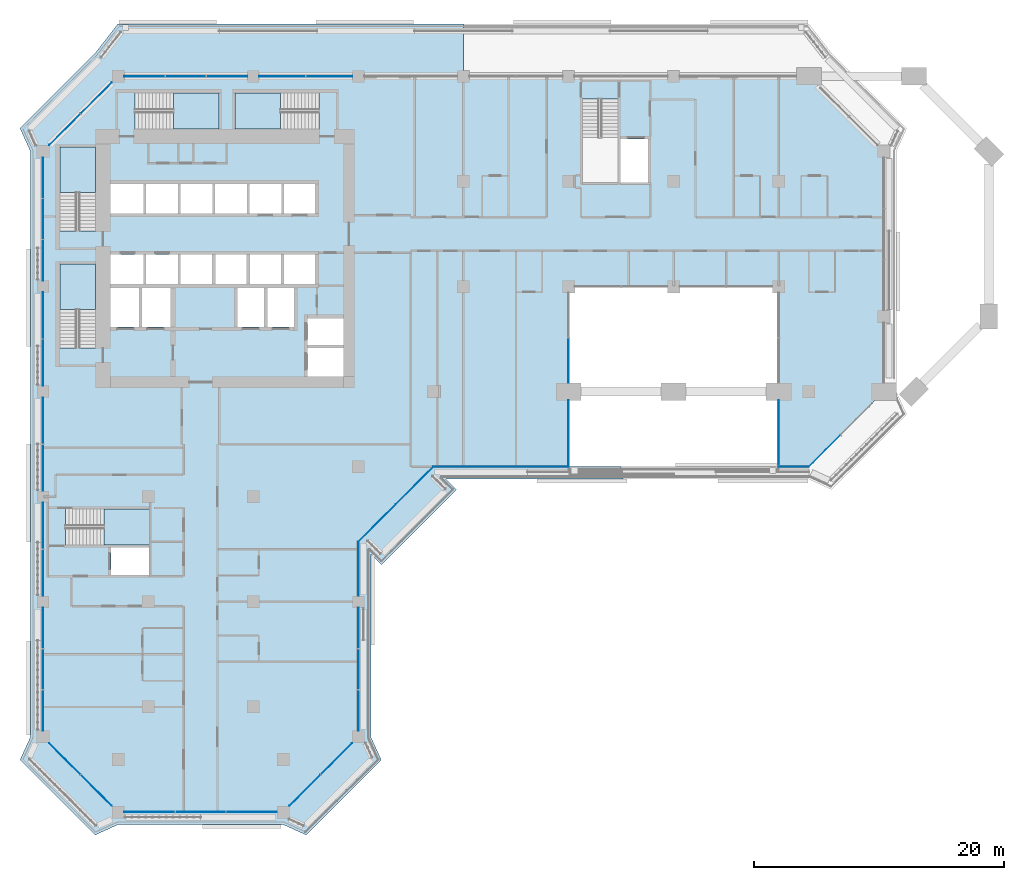
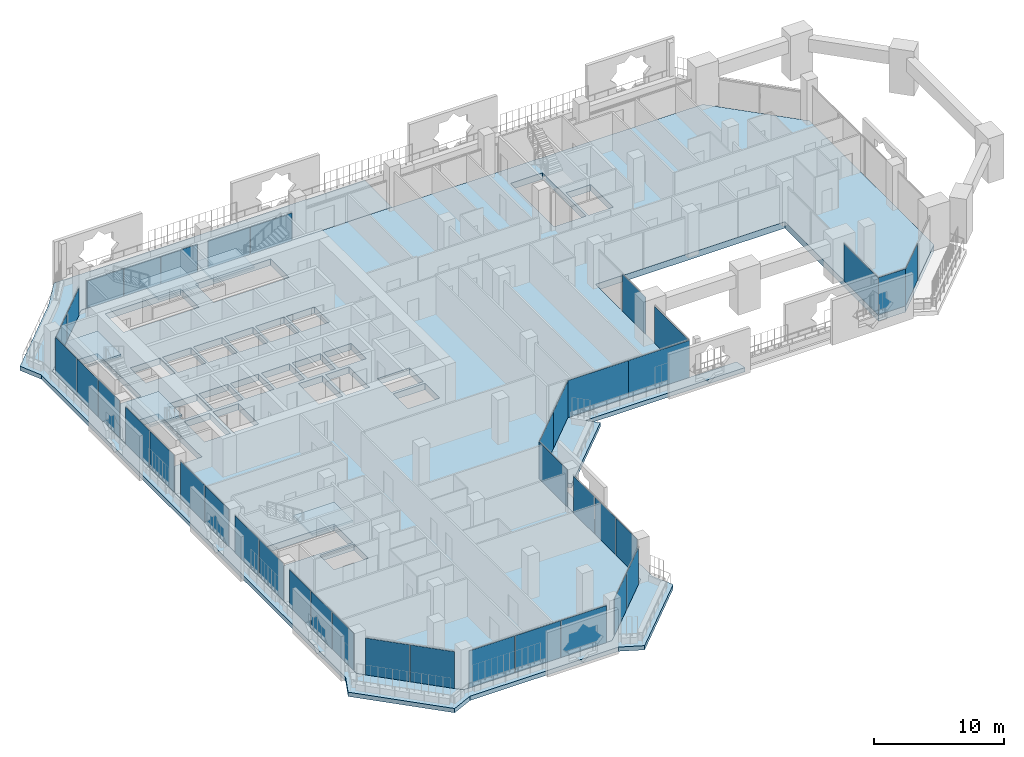
# One storey, part 9 of 24: 39 plates, 7 slabs, 18 elements without a shape of their own.
"""IFC4 building model written with IfcOpenShell, lengths in metres."""

from ifc_helpers import new_model, si_unit, direction, frame, origin, origin_2d, place, context, subcontext, project, spatial, polyline, rectangle, outline, extrude, material, layer, layer_set, type_object, element, aggregate, save


model = new_model("IFC4")

# Units and contexts
model_context = context("Model", 3, precision=1e-05, world=origin(), true_north=direction((0.0, 1.0)))
body_context = subcontext(model_context, "Body", "Model", "MODEL_VIEW")
ifc_project = project(units=[si_unit("LENGTHUNIT", "METRE"), si_unit("AREAUNIT", "SQUARE_METRE"), si_unit("VOLUMEUNIT", "CUBIC_METRE"), si_unit("PLANEANGLEUNIT", "RADIAN"), si_unit("MASSUNIT", "GRAM", prefix="KILO")], contexts=[model_context])

# Site, building, storey
site_placement = place(None, origin())
site = spatial("IfcSite", under=ifc_project, at=site_placement, CompositionType="ELEMENT")
building_placement = place(site_placement, origin())
building = spatial("IfcBuilding", under=site, at=building_placement, Name="Kawkab Arch Medical Tower", CompositionType="ELEMENT")
storey_placement = place(building_placement, frame((0.0, 0.0, 162.60009765625)))
storey = spatial("IfcBuildingStorey", under=building, at=storey_placement, Name="L37", CompositionType="ELEMENT", Elevation=162.60009765625)

# Curtain wall, plates
ifc_material_1 = material(Name="Bronze anodised aluminium curtain wall frame", Category="aluminium")
ifc_layer_1 = layer(ifc_material_1, 0.159912109375)
ifc_layer_set_1 = layer_set([ifc_layer_1], Name="Bronze anodised aluminium curtain wall frame")
curtain_wall_type_1 = type_object("IfcCurtainWallType", Name="CW1 ward curtain wall", PredefinedType="NOTDEFINED", material=ifc_layer_set_1)
placement_1 = place(storey_placement, origin())
curtain_wall_1 = element("IfcCurtainWall", 1, at=placement_1, inside=storey, type_object=curtain_wall_type_1, Name="CW1 Ward curtain wall R01", PredefinedType="NOTDEFINED")
ifc_material_2 = material(Name="Tinted insulating glass, bronze low-e coating", Category="glass")
ifc_layer_2 = layer(ifc_material_2, 0.031982421875)
ifc_layer_set_2 = layer_set([ifc_layer_2], Name="Tinted insulating glass, bronze low-e coating")
plate_type_1 = type_object("IfcPlateType", Name="CW1 glazing unit 32", PredefinedType="CURTAIN_PANEL", material=ifc_layer_set_2)
plate_1_placement = place(storey_placement, frame((33.89990234375, -31.199951171875, 0.0), z_axis=(0.0, 0.0, 1.0), x_axis=(1.0, 0.0, 0.0)))
plate_1 = element("IfcPlate", 2, at=plate_1_placement, type_object=plate_type_1, Name="CW1 glazing unit 1.1", PredefinedType="CURTAIN_PANEL", context=body_context, shape_type="SweptSolid", body=[
    extrude(rectangle(XDim=5.39990234375, YDim=0.031982421875, at=origin_2d()), origin(), (0.0, 0.0, 1.0), 3.47998046875),
])
plate_2_placement = place(storey_placement, frame((39.300048828125, -31.199951171875, 0.0), z_axis=(0.0, 0.0, 1.0), x_axis=(1.0, 0.0, 0.0)))
plate_2 = element("IfcPlate", 3, at=plate_2_placement, type_object=plate_type_1, Name="CW1 glazing unit 2.1", PredefinedType="CURTAIN_PANEL", context=body_context, shape_type="SweptSolid", body=[
    extrude(rectangle(XDim=5.39990234375, YDim=0.031982421875, at=origin_2d()), origin(), (0.0, 0.0, 1.0), 3.47998046875),
])
aggregate(curtain_wall_1, [plate_1, plate_2])

# Curtain wall, plate
curtain_wall_2 = element("IfcCurtainWall", 4, at=placement_1, inside=storey, type_object=curtain_wall_type_1, Name="CW1 Ward curtain wall R05", PredefinedType="NOTDEFINED")
plate_3_placement = place(storey_placement, frame((60.0, -31.199951171875, 0.0), z_axis=(0.0, 0.0, 1.0), x_axis=(1.0, 0.0, 0.0)))
plate_3 = element("IfcPlate", 5, at=plate_3_placement, type_object=plate_type_1, Name="CW1 glazing unit 1.1", PredefinedType="CURTAIN_PANEL", context=body_context, shape_type="SweptSolid", body=[
    extrude(rectangle(XDim=2.39990234375, YDim=0.031982421875, at=origin_2d()), origin(), (0.0, 0.0, 1.0), 3.47998046875),
])
aggregate(curtain_wall_2, [plate_3])

# Curtain wall, plates
curtain_wall_3 = element("IfcCurtainWall", 6, at=placement_1, inside=storey, type_object=curtain_wall_type_1, Name="CW1 Ward curtain wall R09", PredefinedType="NOTDEFINED")
plate_4_placement = place(storey_placement, frame((22.87744140625, 0.0, -0.000244140625), z_axis=(0.0, 0.0, 1.0), x_axis=(-1.0, 0.0, 0.0)))
plate_4 = element("IfcPlate", 7, at=plate_4_placement, type_object=plate_type_1, Name="CW1 glazing unit 5.1", PredefinedType="CURTAIN_PANEL", context=body_context, shape_type="SweptSolid", body=[
    extrude(rectangle(XDim=3.695068359375, YDim=0.031982421875, at=origin_2d()), origin(), (0.0, 0.0, 1.0), 2.580078125),
])
plate_5_placement = place(storey_placement, frame((19.12255859375, 0.0, -0.000244140625), z_axis=(0.0, 0.0, 1.0), x_axis=(-1.0, 0.0, 0.0)))
plate_5 = element("IfcPlate", 8, at=plate_5_placement, type_object=plate_type_1, Name="CW1 glazing unit 5.2", PredefinedType="CURTAIN_PANEL", context=body_context, shape_type="SweptSolid", body=[
    extrude(rectangle(XDim=3.695068359375, YDim=0.031982421875, at=origin_2d()), origin(), (0.0, 0.0, 1.0), 2.580078125),
])
plate_6_placement = place(storey_placement, frame((14.702392578125, 0.0, -0.000244140625), z_axis=(0.0, 0.0, 1.0), x_axis=(-1.0, 0.0, 0.0)))
plate_6 = element("IfcPlate", 9, at=plate_6_placement, type_object=plate_type_1, Name="CW1 glazing unit 6.1", PredefinedType="CURTAIN_PANEL", context=body_context, shape_type="SweptSolid", body=[
    extrude(rectangle(XDim=3.2451171875, YDim=0.031982421875, at=origin_2d()), origin(), (0.0, 0.0, 1.0), 2.580078125),
])
plate_7_placement = place(storey_placement, frame((11.41259765625, 0.0, -0.000244140625), z_axis=(0.0, 0.0, 1.0), x_axis=(-1.0, 0.0, 0.0)))
plate_7 = element("IfcPlate", 10, at=plate_7_placement, type_object=plate_type_1, Name="CW1 glazing unit 6.2", PredefinedType="CURTAIN_PANEL", context=body_context, shape_type="SweptSolid", body=[
    extrude(rectangle(XDim=3.215087890625, YDim=0.031982421875, at=origin_2d()), origin(), (0.0, 0.0, 1.0), 2.580078125),
])
plate_8_placement = place(storey_placement, frame((8.12255859375, 0.0, -0.000244140625), z_axis=(0.0, 0.0, 1.0), x_axis=(-1.0, 0.0, 0.0)))
plate_8 = element("IfcPlate", 11, at=plate_8_placement, type_object=plate_type_1, Name="CW1 glazing unit 6.3", PredefinedType="CURTAIN_PANEL", context=body_context, shape_type="SweptSolid", body=[
    extrude(rectangle(XDim=3.2451171875, YDim=0.031982421875, at=origin_2d()), origin(), (0.0, 0.0, 1.0), 2.580078125),
])
aggregate(curtain_wall_3, [plate_4, plate_5, plate_6, plate_7, plate_8])

curtain_wall_4 = element("IfcCurtainWall", 12, at=placement_1, inside=storey, type_object=curtain_wall_type_1, Name="CW1 Ward curtain wall R11", PredefinedType="NOTDEFINED")
plate_9_placement = place(storey_placement, frame((0.0, -8.12255859375, 0.0), z_axis=(0.0, 0.0, 1.0), x_axis=(0.0, -1.0, 0.0)))
plate_9 = element("IfcPlate", 13, at=plate_9_placement, type_object=plate_type_1, Name="CW1 glazing unit 1.1", PredefinedType="CURTAIN_PANEL", context=body_context, shape_type="SweptSolid", body=[
    extrude(rectangle(XDim=3.2451171875, YDim=0.031982421875, at=origin_2d()), origin(), (0.0, 0.0, 1.0), 3.47998046875),
])
plate_10_placement = place(storey_placement, frame((0.0, -11.41259765625, 0.0), z_axis=(0.0, 0.0, 1.0), x_axis=(0.0, -1.0, 0.0)))
plate_10 = element("IfcPlate", 14, at=plate_10_placement, type_object=plate_type_1, Name="CW1 glazing unit 1.2", PredefinedType="CURTAIN_PANEL", context=body_context, shape_type="SweptSolid", body=[
    extrude(rectangle(XDim=3.215087890625, YDim=0.031982421875, at=origin_2d()), origin(), (0.0, 0.0, 1.0), 3.47998046875),
])
plate_11_placement = place(storey_placement, frame((0.0, -14.702392578125, 0.0), z_axis=(0.0, 0.0, 1.0), x_axis=(0.0, -1.0, 0.0)))
plate_11 = element("IfcPlate", 15, at=plate_11_placement, type_object=plate_type_1, Name="CW1 glazing unit 1.3", PredefinedType="CURTAIN_PANEL", context=body_context, shape_type="SweptSolid", body=[
    extrude(rectangle(XDim=3.2451171875, YDim=0.031982421875, at=origin_2d()), origin(), (0.0, 0.0, 1.0), 3.47998046875),
])
plate_12_placement = place(storey_placement, frame((0.0, -19.12255859375, 0.0), z_axis=(0.0, 0.0, 1.0), x_axis=(0.0, -1.0, 0.0)))
plate_12 = element("IfcPlate", 16, at=plate_12_placement, type_object=plate_type_1, Name="CW1 glazing unit 2.1", PredefinedType="CURTAIN_PANEL", context=body_context, shape_type="SweptSolid", body=[
    extrude(rectangle(XDim=3.695068359375, YDim=0.031982421875, at=origin_2d()), origin(), (0.0, 0.0, 1.0), 3.47998046875),
])
plate_13_placement = place(storey_placement, frame((0.0, -22.87744140625, 0.0), z_axis=(0.0, 0.0, 1.0), x_axis=(0.0, -1.0, 0.0)))
plate_13 = element("IfcPlate", 17, at=plate_13_placement, type_object=plate_type_1, Name="CW1 glazing unit 2.2", PredefinedType="CURTAIN_PANEL", context=body_context, shape_type="SweptSolid", body=[
    extrude(rectangle(XDim=3.695068359375, YDim=0.031982421875, at=origin_2d()), origin(), (0.0, 0.0, 1.0), 3.47998046875),
])
plate_14_placement = place(storey_placement, frame((0.0, -27.5224609375, 0.0), z_axis=(0.0, 0.0, 1.0), x_axis=(0.0, -1.0, 0.0)))
plate_14 = element("IfcPlate", 18, at=plate_14_placement, type_object=plate_type_1, Name="CW1 glazing unit 3.1", PredefinedType="CURTAIN_PANEL", context=body_context, shape_type="SweptSolid", body=[
    extrude(rectangle(XDim=3.695068359375, YDim=0.031982421875, at=origin_2d()), origin(), (0.0, 0.0, 1.0), 3.47998046875),
])
plate_15_placement = place(storey_placement, frame((0.0, -31.277587890625, 0.0), z_axis=(0.0, 0.0, 1.0), x_axis=(0.0, -1.0, 0.0)))
plate_15 = element("IfcPlate", 19, at=plate_15_placement, type_object=plate_type_1, Name="CW1 glazing unit 3.2", PredefinedType="CURTAIN_PANEL", context=body_context, shape_type="SweptSolid", body=[
    extrude(rectangle(XDim=3.695068359375, YDim=0.031982421875, at=origin_2d()), origin(), (0.0, 0.0, 1.0), 3.47998046875),
])
plate_16_placement = place(storey_placement, frame((0.0, -35.922607421875, 0.0), z_axis=(0.0, 0.0, 1.0), x_axis=(0.0, -1.0, 0.0)))
plate_16 = element("IfcPlate", 20, at=plate_16_placement, type_object=plate_type_1, Name="CW1 glazing unit 4.1", PredefinedType="CURTAIN_PANEL", context=body_context, shape_type="SweptSolid", body=[
    extrude(rectangle(XDim=3.695068359375, YDim=0.031982421875, at=origin_2d()), origin(), (0.0, 0.0, 1.0), 3.47998046875),
])
plate_17_placement = place(storey_placement, frame((0.0, -39.677490234375, 0.0), z_axis=(0.0, 0.0, 1.0), x_axis=(0.0, -1.0, 0.0)))
plate_17 = element("IfcPlate", 21, at=plate_17_placement, type_object=plate_type_1, Name="CW1 glazing unit 4.2", PredefinedType="CURTAIN_PANEL", context=body_context, shape_type="SweptSolid", body=[
    extrude(rectangle(XDim=3.695068359375, YDim=0.031982421875, at=origin_2d()), origin(), (0.0, 0.0, 1.0), 3.47998046875),
])
plate_18_placement = place(storey_placement, frame((0.0, -44.097412109375, 0.0), z_axis=(0.0, 0.0, 1.0), x_axis=(0.0, -1.0, 0.0)))
plate_18 = element("IfcPlate", 22, at=plate_18_placement, type_object=plate_type_1, Name="CW1 glazing unit 5.1", PredefinedType="CURTAIN_PANEL", context=body_context, shape_type="SweptSolid", body=[
    extrude(rectangle(XDim=3.2451171875, YDim=0.031982421875, at=origin_2d()), origin(), (0.0, 0.0, 1.0), 3.47998046875),
])
plate_19_placement = place(storey_placement, frame((0.0, -47.387451171875, 0.0), z_axis=(0.0, 0.0, 1.0), x_axis=(0.0, -1.0, 0.0)))
plate_19 = element("IfcPlate", 23, at=plate_19_placement, type_object=plate_type_1, Name="CW1 glazing unit 5.2", PredefinedType="CURTAIN_PANEL", context=body_context, shape_type="SweptSolid", body=[
    extrude(rectangle(XDim=3.215087890625, YDim=0.031982421875, at=origin_2d()), origin(), (0.0, 0.0, 1.0), 3.47998046875),
])
plate_20_placement = place(storey_placement, frame((0.0, -50.677490234375, 0.0), z_axis=(0.0, 0.0, 1.0), x_axis=(0.0, -1.0, 0.0)))
plate_20 = element("IfcPlate", 24, at=plate_20_placement, type_object=plate_type_1, Name="CW1 glazing unit 5.3", PredefinedType="CURTAIN_PANEL", context=body_context, shape_type="SweptSolid", body=[
    extrude(rectangle(XDim=3.2451171875, YDim=0.031982421875, at=origin_2d()), origin(), (0.0, 0.0, 1.0), 3.47998046875),
])
aggregate(curtain_wall_4, [plate_9, plate_10, plate_11, plate_12, plate_13, plate_14, plate_15, plate_16, plate_17, plate_18, plate_19, plate_20])

curtain_wall_5 = element("IfcCurtainWall", 25, at=placement_1, inside=storey, type_object=curtain_wall_type_1, Name="CW1 Ward curtain wall R13", PredefinedType="NOTDEFINED")
plate_21_placement = place(storey_placement, frame((8.518310546875, -58.800048828125, 0.0), z_axis=(0.0, 0.0, 1.0), x_axis=(1.0, 0.0, 0.0)))
plate_21 = element("IfcPlate", 26, at=plate_21_placement, type_object=plate_type_1, Name="CW1 glazing unit 1.1", PredefinedType="CURTAIN_PANEL", context=body_context, shape_type="SweptSolid", body=[
    extrude(rectangle(XDim=4.03662109375, YDim=0.031982421875, at=origin_2d()), origin(), (0.0, 0.0, 1.0), 3.47998046875),
])
plate_22_placement = place(storey_placement, frame((12.60009765625, -58.800048828125, 0.0), z_axis=(0.0, 0.0, 1.0), x_axis=(1.0, 0.0, 0.0)))
plate_22 = element("IfcPlate", 27, at=plate_22_placement, type_object=plate_type_1, Name="CW1 glazing unit 1.2", PredefinedType="CURTAIN_PANEL", context=body_context, shape_type="SweptSolid", body=[
    extrude(rectangle(XDim=4.006591796875, YDim=0.031982421875, at=origin_2d()), origin(), (0.0, 0.0, 1.0), 3.47998046875),
])
plate_23_placement = place(storey_placement, frame((16.681640625, -58.800048828125, 0.0), z_axis=(0.0, 0.0, 1.0), x_axis=(1.0, 0.0, 0.0)))
plate_23 = element("IfcPlate", 28, at=plate_23_placement, type_object=plate_type_1, Name="CW1 glazing unit 1.3", PredefinedType="CURTAIN_PANEL", context=body_context, shape_type="SweptSolid", body=[
    extrude(rectangle(XDim=4.03662109375, YDim=0.031982421875, at=origin_2d()), origin(), (0.0, 0.0, 1.0), 3.47998046875),
])
aggregate(curtain_wall_5, [plate_21, plate_22, plate_23])

curtain_wall_6 = element("IfcCurtainWall", 29, at=placement_1, inside=storey, type_object=curtain_wall_type_1, Name="CW1 Ward curtain wall R15", PredefinedType="NOTDEFINED")
plate_24_placement = place(storey_placement, frame((25.199951171875, -50.677490234375, 0.0), z_axis=(0.0, 0.0, 1.0), x_axis=(0.0, 1.0, 0.0)))
plate_24 = element("IfcPlate", 30, at=plate_24_placement, type_object=plate_type_1, Name="CW1 glazing unit 1.1", PredefinedType="CURTAIN_PANEL", context=body_context, shape_type="SweptSolid", body=[
    extrude(rectangle(XDim=3.2451171875, YDim=0.031982421875, at=origin_2d()), origin(), (0.0, 0.0, 1.0), 3.47998046875),
])
plate_25_placement = place(storey_placement, frame((25.199951171875, -47.387451171875, 0.0), z_axis=(0.0, 0.0, 1.0), x_axis=(0.0, 1.0, 0.0)))
plate_25 = element("IfcPlate", 31, at=plate_25_placement, type_object=plate_type_1, Name="CW1 glazing unit 1.2", PredefinedType="CURTAIN_PANEL", context=body_context, shape_type="SweptSolid", body=[
    extrude(rectangle(XDim=3.215087890625, YDim=0.031982421875, at=origin_2d()), origin(), (0.0, 0.0, 1.0), 3.47998046875),
])
plate_26_placement = place(storey_placement, frame((25.199951171875, -44.097412109375, 0.0), z_axis=(0.0, 0.0, 1.0), x_axis=(0.0, 1.0, 0.0)))
plate_26 = element("IfcPlate", 32, at=plate_26_placement, type_object=plate_type_1, Name="CW1 glazing unit 1.3", PredefinedType="CURTAIN_PANEL", context=body_context, shape_type="SweptSolid", body=[
    extrude(rectangle(XDim=3.2451171875, YDim=0.031982421875, at=origin_2d()), origin(), (0.0, 0.0, 1.0), 3.47998046875),
])
plate_27_placement = place(storey_placement, frame((25.199951171875, -39.362548828125, 0.0), z_axis=(0.0, 0.0, 1.0), x_axis=(0.0, 1.0, 0.0)))
plate_27 = element("IfcPlate", 33, at=plate_27_placement, type_object=plate_type_1, Name="CW1 glazing unit 2.1", PredefinedType="CURTAIN_PANEL", context=body_context, shape_type="SweptSolid", body=[
    extrude(rectangle(XDim=4.324951171875, YDim=0.031982421875, at=origin_2d()), origin(), (0.0, 0.0, 1.0), 3.47998046875),
])
aggregate(curtain_wall_6, [plate_24, plate_25, plate_26, plate_27])

# Curtain wall, plate
ifc_material_3 = material(Name="Bronze anodised aluminium curtain wall frame", Category="aluminium")
ifc_layer_3 = layer(ifc_material_3, 0.159912109375)
ifc_layer_set_3 = layer_set([ifc_layer_3], Name="Bronze anodised aluminium curtain wall frame")
curtain_wall_type_2 = type_object("IfcCurtainWallType", Name="CW2 chamfer curtain wall", PredefinedType="NOTDEFINED", material=ifc_layer_set_3)
curtain_wall_7 = element("IfcCurtainWall", 34, at=placement_1, inside=storey, type_object=curtain_wall_type_2, Name="CW2 Chamfer curtain wall R06", PredefinedType="NOTDEFINED")
ifc_material_4 = material(Name="Tinted insulating glass, bronze low-e coating", Category="glass")
ifc_layer_4 = layer(ifc_material_4, 0.031982421875)
ifc_layer_set_4 = layer_set([ifc_layer_4], Name="Tinted insulating glass, bronze low-e coating")
plate_type_2 = type_object("IfcPlateType", Name="CW2 glazing unit 32", PredefinedType="CURTAIN_PANEL", material=ifc_layer_set_4)
plate_28_placement = place(storey_placement, frame((62.456787109375, -29.943115234375, 0.0), z_axis=(0.0, 0.0, 1.0), x_axis=(0.707106781187, 0.707106781187, 0.0)))
plate_28 = element("IfcPlate", 35, at=plate_28_placement, type_object=plate_type_2, Name="CW2 glazing unit 1.1", PredefinedType="CURTAIN_PANEL", context=body_context, shape_type="SweptSolid", body=[
    extrude(rectangle(XDim=3.5546875, YDim=0.031982421875, at=origin_2d()), origin(), (0.0, 0.0, 1.0), 3.4599609375),
])
aggregate(curtain_wall_7, [plate_28])

# Curtain wall, plates
curtain_wall_8 = element("IfcCurtainWall", 36, at=placement_1, inside=storey, type_object=curtain_wall_type_2, Name="CW2 Chamfer curtain wall R10", PredefinedType="NOTDEFINED")
plate_29_placement = place(storey_placement, frame((4.260498046875, -1.739501953125, -0.000244140625), z_axis=(0.0, 0.0, 1.0), x_axis=(-0.707106781187, -0.707106781187, 0.0)))
plate_29 = element("IfcPlate", 37, at=plate_29_placement, type_object=plate_type_2, Name="CW2 glazing unit 1.1", PredefinedType="CURTAIN_PANEL", context=body_context, shape_type="SweptSolid", body=[
    extrude(rectangle(XDim=3.505615234375, YDim=0.031982421875, at=origin_2d()), origin(), (0.0, 0.0, 1.0), 2.56005859375),
])
plate_30_placement = place(storey_placement, frame((1.739501953125, -4.260498046875, -0.000244140625), z_axis=(0.0, 0.0, 1.0), x_axis=(-0.707106781187, -0.707106781187, 0.0)))
plate_30 = element("IfcPlate", 38, at=plate_30_placement, type_object=plate_type_2, Name="CW2 glazing unit 1.2", PredefinedType="CURTAIN_PANEL", context=body_context, shape_type="SweptSolid", body=[
    extrude(rectangle(XDim=3.505615234375, YDim=0.031982421875, at=origin_2d()), origin(), (0.0, 0.0, 1.0), 2.56005859375),
])
aggregate(curtain_wall_8, [plate_29, plate_30])

curtain_wall_9 = element("IfcCurtainWall", 39, at=placement_1, inside=storey, type_object=curtain_wall_type_2, Name="CW2 Chamfer curtain wall R12", PredefinedType="NOTDEFINED")
plate_31_placement = place(storey_placement, frame((1.739501953125, -54.539306640625, 0.0), z_axis=(0.0, 0.0, 1.0), x_axis=(0.707106781187, -0.707106781187, 0.0)))
plate_31 = element("IfcPlate", 40, at=plate_31_placement, type_object=plate_type_2, Name="CW2 glazing unit 1.1", PredefinedType="CURTAIN_PANEL", context=body_context, shape_type="SweptSolid", body=[
    extrude(rectangle(XDim=3.505615234375, YDim=0.031982421875, at=origin_2d()), origin(), (0.0, 0.0, 1.0), 3.4599609375),
])
plate_32_placement = place(storey_placement, frame((4.260498046875, -57.060546875, 0.0), z_axis=(0.0, 0.0, 1.0), x_axis=(0.707106781187, -0.707106781187, 0.0)))
plate_32 = element("IfcPlate", 41, at=plate_32_placement, type_object=plate_type_2, Name="CW2 glazing unit 1.2", PredefinedType="CURTAIN_PANEL", context=body_context, shape_type="SweptSolid", body=[
    extrude(rectangle(XDim=3.505615234375, YDim=0.031982421875, at=origin_2d()), origin(), (0.0, 0.0, 1.0), 3.4599609375),
])
aggregate(curtain_wall_9, [plate_31, plate_32])

curtain_wall_10 = element("IfcCurtainWall", 42, at=placement_1, inside=storey, type_object=curtain_wall_type_2, Name="CW2 Chamfer curtain wall R14", PredefinedType="NOTDEFINED")
plate_33_placement = place(storey_placement, frame((20.939453125, -57.060546875, 0.0), z_axis=(0.0, 0.0, 1.0), x_axis=(0.707106781187, 0.707106781187, 0.0)))
plate_33 = element("IfcPlate", 43, at=plate_33_placement, type_object=plate_type_2, Name="CW2 glazing unit 1.1", PredefinedType="CURTAIN_PANEL", context=body_context, shape_type="SweptSolid", body=[
    extrude(rectangle(XDim=3.505615234375, YDim=0.031982421875, at=origin_2d()), origin(), (0.0, 0.0, 1.0), 3.4599609375),
])
plate_34_placement = place(storey_placement, frame((23.460693359375, -54.539306640625, 0.0), z_axis=(0.0, 0.0, 1.0), x_axis=(0.707106781187, 0.707106781187, 0.0)))
plate_34 = element("IfcPlate", 44, at=plate_34_placement, type_object=plate_type_2, Name="CW2 glazing unit 1.2", PredefinedType="CURTAIN_PANEL", context=body_context, shape_type="SweptSolid", body=[
    extrude(rectangle(XDim=3.505615234375, YDim=0.031982421875, at=origin_2d()), origin(), (0.0, 0.0, 1.0), 3.4599609375),
])
aggregate(curtain_wall_10, [plate_33, plate_34])

curtain_wall_11 = element("IfcCurtainWall", 45, at=placement_1, inside=storey, type_object=curtain_wall_type_2, Name="CW2 Chamfer curtain wall R16", PredefinedType="NOTDEFINED")
plate_35_placement = place(storey_placement, frame((26.699951171875, -35.699951171875, 0.0), z_axis=(0.0, 0.0, 1.0), x_axis=(0.707106781187, 0.707106781187, 0.0)))
plate_35 = element("IfcPlate", 46, at=plate_35_placement, type_object=plate_type_2, Name="CW2 glazing unit 1.1", PredefinedType="CURTAIN_PANEL", context=body_context, shape_type="SweptSolid", body=[
    extrude(rectangle(XDim=4.24267578125, YDim=0.031982421875, at=origin_2d()), origin(), (0.0, 0.0, 1.0), 3.4599609375),
])
plate_36_placement = place(storey_placement, frame((29.699951171875, -32.699951171875, 0.0), z_axis=(0.0, 0.0, 1.0), x_axis=(0.707106781187, 0.707106781187, 0.0)))
plate_36 = element("IfcPlate", 47, at=plate_36_placement, type_object=plate_type_2, Name="CW2 glazing unit 2.1", PredefinedType="CURTAIN_PANEL", context=body_context, shape_type="SweptSolid", body=[
    extrude(rectangle(XDim=4.24267578125, YDim=0.031982421875, at=origin_2d()), origin(), (0.0, 0.0, 1.0), 3.4599609375),
])
aggregate(curtain_wall_11, [plate_35, plate_36])

ifc_material_5 = material(Name="Bronze anodised aluminium curtain wall frame", Category="aluminium")
ifc_layer_5 = layer(ifc_material_5, 0.159912109375)
ifc_layer_set_5 = layer_set([ifc_layer_5], Name="Bronze anodised aluminium curtain wall frame")
curtain_wall_type_3 = type_object("IfcCurtainWallType", Name="CW3 sky garden curtain wall", PredefinedType="NOTDEFINED", material=ifc_layer_set_5)
curtain_wall_12 = element("IfcCurtainWall", 48, at=placement_1, inside=storey, type_object=curtain_wall_type_3, Name="CW3 Sky garden curtain wall R02", PredefinedType="NOTDEFINED")
ifc_material_6 = material(Name="Tinted laminated insulating glass, grey-green", Category="glass")
ifc_layer_6 = layer(ifc_material_6, 0.035888671875)
ifc_layer_set_6 = layer_set([ifc_layer_6], Name="Tinted laminated insulating glass, grey-green")
plate_type_3 = type_object("IfcPlateType", Name="CW3 glazing unit 36", PredefinedType="CURTAIN_PANEL", material=ifc_layer_set_6)
plate_37_placement = place(storey_placement, frame((42.0, -28.550048828125, 0.0), z_axis=(0.0, 0.0, 1.0), x_axis=(0.0, 1.0, 0.0)))
plate_37 = element("IfcPlate", 49, at=plate_37_placement, type_object=plate_type_3, Name="CW3 glazing unit 1.1", PredefinedType="CURTAIN_PANEL", context=body_context, shape_type="SweptSolid", body=[
    extrude(rectangle(XDim=5.300048828125, YDim=0.035888671875, at=origin_2d()), origin(), (0.0, 0.0, 1.0), 3.4599609375),
])
plate_38_placement = place(storey_placement, frame((42.0, -22.717529296875, 0.0), z_axis=(0.0, 0.0, 1.0), x_axis=(0.0, 1.0, 0.0)))
plate_38 = element("IfcPlate", 50, at=plate_38_placement, type_object=plate_type_3, Name="CW3 glazing unit 2.1", PredefinedType="CURTAIN_PANEL", context=body_context, shape_type="SweptSolid", body=[
    extrude(rectangle(XDim=3.56494140625, YDim=0.035888671875, at=origin_2d()), origin(), (0.0, 0.0, 1.0), 3.4599609375),
])
aggregate(curtain_wall_12, [plate_37, plate_38])

# Curtain wall, plate
curtain_wall_13 = element("IfcCurtainWall", 51, at=placement_1, inside=storey, type_object=curtain_wall_type_3, Name="CW3 Sky garden curtain wall R04", PredefinedType="NOTDEFINED")
plate_39_placement = place(storey_placement, frame((58.800048828125, -28.550048828125, 0.0), z_axis=(0.0, 0.0, 1.0), x_axis=(0.0, -1.0, 0.0)))
plate_39 = element("IfcPlate", 52, at=plate_39_placement, type_object=plate_type_3, Name="CW3 glazing unit 2.1", PredefinedType="CURTAIN_PANEL", context=body_context, shape_type="SweptSolid", body=[
    extrude(rectangle(XDim=5.300048828125, YDim=0.035888671875, at=origin_2d()), origin(), (0.0, 0.0, 1.0), 3.4599609375),
])
aggregate(curtain_wall_13, [plate_39])

# Stair, slab
ifc_material_7 = material(Name="Concrete C40/50", Category="concrete")
stair_type = type_object("IfcStairType", Name="Exit stair 1350", PredefinedType="HALF_TURN_STAIR", material=ifc_material_7)
stair_1 = element("IfcStair", 53, at=placement_1, inside=storey, type_object=stair_type, Name="L37 Exit stair ST1", PredefinedType="HALF_TURN_STAIR")
ifc_material_8 = material(Name="Concrete C40/50", Category="concrete")
ifc_layer_7 = layer(ifc_material_8, 0.199951171875)
ifc_layer_set_7 = layer_set([ifc_layer_7], Name="Concrete C40/50")
slab_type_1 = type_object("IfcSlabType", Name="Exit stair landing 200", PredefinedType="LANDING", material=ifc_layer_set_7)
placement_2 = place(storey_placement, frame((0.0, 0.0, 1.89990234375)))
slab_1 = element("IfcSlab", 54, at=placement_2, type_object=slab_type_1, Name="ST1 landing 1", PredefinedType="LANDING", context=body_context, shape_type="SweptSolid", body=[
    extrude(outline(polyline([(4.199951171875, -9.27001953125), (4.199951171875, -5.64990234375), (1.35009765625, -5.64990234375), (1.35009765625, -9.27001953125), (4.199951171875, -9.27001953125)])), origin(), (0.0, 0.0, 1.0), 0.199951171875),
])
aggregate(stair_1, [slab_1])

stair_2 = element("IfcStair", 55, at=placement_1, inside=storey, type_object=stair_type, Name="L37 Exit stair ST2", PredefinedType="HALF_TURN_STAIR")
slab_2 = element("IfcSlab", 56, at=placement_2, type_object=slab_type_1, Name="ST2 landing 1", PredefinedType="LANDING", context=body_context, shape_type="SweptSolid", body=[
    extrude(outline(polyline([(4.199951171875, -18.6201171875), (4.199951171875, -15.0), (1.35009765625, -15.0), (1.35009765625, -18.6201171875), (4.199951171875, -18.6201171875)])), origin(), (0.0, 0.0, 1.0), 0.199951171875),
])
aggregate(stair_2, [slab_2])

stair_3 = element("IfcStair", 57, at=placement_1, inside=storey, type_object=stair_type, Name="L37 Exit stair ST3", PredefinedType="HALF_TURN_STAIR")
slab_3 = element("IfcSlab", 58, at=placement_2, type_object=slab_type_1, Name="ST3 landing 1", PredefinedType="LANDING", context=body_context, shape_type="SweptSolid", body=[
    extrude(outline(polyline([(10.429931640625, -4.199951171875), (14.050048828125, -4.199951171875), (14.050048828125, -1.35009765625), (10.429931640625, -1.35009765625), (10.429931640625, -4.199951171875)])), origin(), (0.0, 0.0, 1.0), 0.199951171875),
])
aggregate(stair_3, [slab_3])

stair_4 = element("IfcStair", 59, at=placement_1, inside=storey, type_object=stair_type, Name="L37 Exit stair ST4", PredefinedType="HALF_TURN_STAIR")
slab_4 = element("IfcSlab", 60, at=placement_2, type_object=slab_type_1, Name="ST4 landing 1", PredefinedType="LANDING", context=body_context, shape_type="SweptSolid", body=[
    extrude(outline(polyline([(18.969970703125, -1.35009765625), (15.35009765625, -1.35009765625), (15.35009765625, -4.199951171875), (18.969970703125, -4.199951171875), (18.969970703125, -1.35009765625)])), origin(), (0.0, 0.0, 1.0), 0.199951171875),
])
aggregate(stair_4, [slab_4])

stair_5 = element("IfcStair", 61, at=placement_1, inside=storey, type_object=stair_type, Name="L37 Exit stair ST6", PredefinedType="HALF_TURN_STAIR")
slab_5 = element("IfcSlab", 62, at=placement_2, type_object=slab_type_1, Name="ST6 landing 1", PredefinedType="LANDING", context=body_context, shape_type="SweptSolid", body=[
    extrude(outline(polyline([(4.8798828125, -37.449951171875), (8.5, -37.449951171875), (8.5, -34.60009765625), (4.8798828125, -34.60009765625), (4.8798828125, -37.449951171875)])), origin(), (0.0, 0.0, 1.0), 0.199951171875),
])
aggregate(stair_5, [slab_5])

# Slabs
ifc_material_9 = material(Name="Concrete C45/55", Category="concrete")
ifc_layer_8 = layer(ifc_material_9, 0.60009765625)
ifc_layer_set_8 = layer_set([ifc_layer_8], Name="Concrete C45/55")
slab_type_2 = type_object("IfcSlabType", Name="Flat plate 600 C45/55", PredefinedType="FLOOR", material=ifc_layer_set_8)
slab_6_placement = place(storey_placement, frame((0.0, 0.0, -0.60009765625)))
element("IfcSlab", 63, at=slab_6_placement, inside=storey, type_object=slab_type_2, Name="Floor slab L37", PredefinedType="FLOOR", context=body_context, shape_type="SweptSolid", body=[
    extrude(outline(polyline([(25.199951171875, -37.199951171875), (25.199951171875, -52.800048828125), (19.199951171875, -58.800048828125), (6.0, -58.800048828125), (0.0, -52.800048828125), (0.0, -6.0), (6.0, 0.0), (61.199951171875, 0.0), (67.199951171875, -6.0), (67.199951171875, -25.199951171875), (61.199951171875, -31.199951171875), (58.800048828125, -31.199951171875), (58.800048828125, -16.800048828125), (42.0, -16.800048828125), (42.0, -31.199951171875), (31.199951171875, -31.199951171875), (25.199951171875, -37.199951171875)]), holes=[polyline([(5.425048828125, -37.64990234375), (5.425048828125, -39.85009765625), (8.5, -39.85009765625), (8.5, -37.64990234375), (5.425048828125, -37.64990234375)]), polyline([(1.800048828125, -37.449951171875), (8.5, -37.449951171875), (8.5, -34.60009765625), (1.800048828125, -34.60009765625), (1.800048828125, -37.449951171875)]), polyline([(5.39990234375, -16.89990234375), (5.39990234375, -20.050048828125), (7.675048828125, -20.050048828125), (7.675048828125, -16.89990234375), (5.39990234375, -16.89990234375)]), polyline([(10.199951171875, -16.89990234375), (7.925048828125, -16.89990234375), (7.925048828125, -20.050048828125), (10.199951171875, -20.050048828125), (10.199951171875, -16.89990234375)]), polyline([(4.199951171875, -21.699951171875), (4.199951171875, -15.0), (1.35009765625, -15.0), (1.35009765625, -21.699951171875), (4.199951171875, -21.699951171875)]), polyline([(5.39990234375, -14.25), (5.39990234375, -16.60009765625), (8.050048828125, -16.60009765625), (8.050048828125, -14.25), (5.39990234375, -14.25)]), polyline([(10.800048828125, -16.60009765625), (10.800048828125, -14.25), (8.25, -14.25), (8.25, -16.60009765625), (10.800048828125, -16.60009765625)]), polyline([(13.52490234375, -14.25), (11.0, -14.25), (11.0, -16.60009765625), (13.52490234375, -16.60009765625), (13.52490234375, -14.25)]), polyline([(5.39990234375, -8.60009765625), (5.39990234375, -10.949951171875), (8.050048828125, -10.949951171875), (8.050048828125, -8.60009765625), (5.39990234375, -8.60009765625)]), polyline([(10.800048828125, -10.949951171875), (10.800048828125, -8.60009765625), (8.25, -8.60009765625), (8.25, -10.949951171875), (10.800048828125, -10.949951171875)]), polyline([(11.0, -8.60009765625), (11.0, -10.949951171875), (13.550048828125, -10.949951171875), (13.550048828125, -8.60009765625), (11.0, -8.60009765625)]), polyline([(4.199951171875, -12.35009765625), (4.199951171875, -5.64990234375), (1.35009765625, -5.64990234375), (1.35009765625, -12.35009765625), (4.199951171875, -12.35009765625)]), polyline([(7.35009765625, -4.199951171875), (14.050048828125, -4.199951171875), (14.050048828125, -1.35009765625), (7.35009765625, -1.35009765625), (7.35009765625, -4.199951171875)]), polyline([(24.0, -21.72509765625), (21.14990234375, -21.72509765625), (21.14990234375, -24.0), (24.0, -24.0), (24.0, -21.72509765625)]), polyline([(24.0, -21.47509765625), (24.0, -19.35009765625), (21.14990234375, -19.35009765625), (21.14990234375, -21.47509765625), (24.0, -21.47509765625)]), polyline([(17.675048828125, -16.89990234375), (15.52490234375, -16.89990234375), (15.52490234375, -20.050048828125), (17.675048828125, -20.050048828125), (17.675048828125, -16.89990234375)]), polyline([(17.925048828125, -16.89990234375), (17.925048828125, -20.050048828125), (20.050048828125, -20.050048828125), (20.050048828125, -16.89990234375), (17.925048828125, -16.89990234375)]), polyline([(16.27490234375, -16.60009765625), (16.27490234375, -14.25), (13.77490234375, -14.25), (13.77490234375, -16.60009765625), (16.27490234375, -16.60009765625)]), polyline([(19.02490234375, -16.60009765625), (19.02490234375, -14.25), (16.52490234375, -14.25), (16.52490234375, -16.60009765625), (19.02490234375, -16.60009765625)]), polyline([(19.27490234375, -14.25), (19.27490234375, -16.60009765625), (21.75, -16.60009765625), (21.75, -14.25), (19.27490234375, -14.25)]), polyline([(16.300048828125, -8.60009765625), (13.75, -8.60009765625), (13.75, -10.949951171875), (16.300048828125, -10.949951171875), (16.300048828125, -8.60009765625)]), polyline([(19.050048828125, -8.60009765625), (16.5, -8.60009765625), (16.5, -10.949951171875), (19.050048828125, -10.949951171875), (19.050048828125, -8.60009765625)]), polyline([(19.25, -8.60009765625), (19.25, -10.949951171875), (21.75, -10.949951171875), (21.75, -8.60009765625), (19.25, -8.60009765625)]), polyline([(46.14990234375, -5.02490234375), (46.14990234375, -8.5), (48.35009765625, -8.5), (48.35009765625, -5.02490234375), (46.14990234375, -5.02490234375)]), polyline([(43.10009765625, -1.800048828125), (43.10009765625, -8.5), (45.949951171875, -8.5), (45.949951171875, -1.800048828125), (43.10009765625, -1.800048828125)]), polyline([(22.050048828125, -1.35009765625), (15.35009765625, -1.35009765625), (15.35009765625, -4.199951171875), (22.050048828125, -4.199951171875), (22.050048828125, -1.35009765625)])]), origin(), (0.0, 0.0, 1.0), 0.60009765625),
])
ifc_material_10 = material(Name="Concrete C40/50", Category="concrete")
ifc_layer_9 = layer(ifc_material_10, 0.39990234375)
ifc_layer_set_9 = layer_set([ifc_layer_9], Name="Concrete C40/50")
slab_type_3 = type_object("IfcSlabType", Name="Loggia slab 400", PredefinedType="FLOOR", material=ifc_layer_set_9)
slab_7_placement = place(storey_placement, frame((0.0, 0.0, -0.400146484375)))
element("IfcSlab", 64, at=slab_7_placement, inside=storey, type_object=slab_type_3, Name="Loggia slab L37.4", PredefinedType="FLOOR", context=body_context, shape_type="SweptSolid", body=[
    extrude(outline(polyline([(-1.837890625, -54.635986328125), (-1.0, -52.800048828125), (-1.0, -6.0), (-1.837890625, -4.1630859375), (4.162109375, 1.837890625), (5.9990234375, 4.198974609375), (6.0009765625, 4.198974609375), (6.0009765625, 4.199951171875), (33.59912109375, 4.199951171875), (33.59912109375, 4.198974609375), (33.60009765625, 4.198974609375), (33.60009765625, 0.001953125), (33.59912109375, 0.001953125), (33.59912109375, 0.0009765625), (6.0, 0.0009765625), (-0.0009765625, -6.0), (-0.0009765625, -52.800048828125), (6.0, -58.800048828125), (19.199951171875, -58.800048828125), (25.199951171875, -52.800048828125), (25.199951171875, -37.201904296875), (31.201904296875, -31.199951171875), (46.197998046875, -31.199951171875), (46.197998046875, -31.200927734375), (46.198974609375, -31.200927734375), (46.198974609375, -31.201904296875), (46.199951171875, -31.201904296875), (46.365966796875, -32.197998046875), (46.364990234375, -32.197998046875), (46.364990234375, -32.198974609375), (46.364013671875, -32.198974609375), (46.364013671875, -32.199951171875), (32.198974609375, -32.199951171875), (33.034912109375, -33.0380859375), (27.0380859375, -39.034912109375), (26.199951171875, -38.198974609375), (26.199951171875, -52.800048828125), (27.0380859375, -54.635986328125), (21.035888671875, -60.637939453125), (19.199951171875, -59.800048828125), (6.0, -59.800048828125), (4.1640625, -60.637939453125), (-1.837890625, -54.635986328125)])), origin(), (0.0, 0.0, 1.0), 0.400146484375),
])

save(model, "model.ifc")
